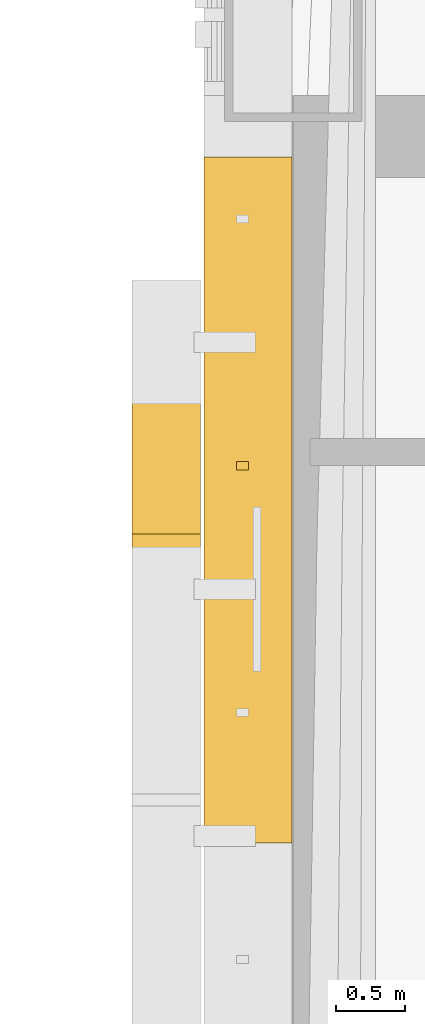
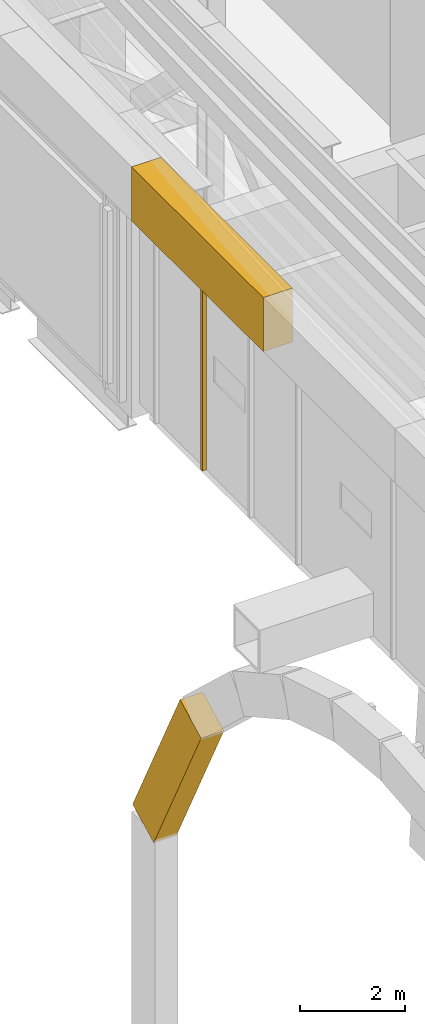
# One storey, part 34 of 39: 3 coverings.
"""IFC4 building model written with IfcOpenShell, lengths in metres."""

import ifcopenshell
import ifcopenshell.guid

model = None  # the IFC model being written
_history = None  # IfcOwnerHistory: only IFC2X3 demands one
_inside = {}  # id of a spatial element -> (the spatial element, [elements in it])
_under = {}  # id of a project, library or spatial element -> (it, [spatial elements below it])
_declared = {}  # id of a project -> (the project, [libraries it declares])
_typed = {}  # id of a type object -> (the type object, [elements of that type])
_made_of = {}  # id of a material, layer set ... -> (it, [elements and type objects made of it])


def new_model(schema):
    """Start an empty IFC model of exactly this schema.

    Asked for "IFC4X3", IfcOpenShell would pick the latest addendum, in which some entities
    have other attributes; the version numbers below select the first issue.
    IFC2X3 requires an IfcOwnerHistory on every rooted entity: one is made here for all.
    """
    global model, _history
    if schema == "IFC4X3":
        model = ifcopenshell.file(schema_version=(4, 3, 0, 0))
    else:
        model = ifcopenshell.file(schema=schema)
    _inside.clear()
    _under.clear()
    _declared.clear()
    _typed.clear()
    _made_of.clear()
    _history = None
    if model.schema == "IFC2X3":
        org = make("IfcOrganization", Name="unknown")
        user = make(
            "IfcPersonAndOrganization",
            ThePerson=make("IfcPerson", FamilyName="unknown"),
            TheOrganization=org,
        )
        app = make(
            "IfcApplication",
            ApplicationDeveloper=org,
            Version="unknown",
            ApplicationFullName="unknown",
            ApplicationIdentifier="unknown",
        )
        _history = make(
            "IfcOwnerHistory",
            OwningUser=user,
            OwningApplication=app,
            ChangeAction="ADDED",
            CreationDate=0,
        )
    return model


def make(cls, **values):
    """One entity of the class cls with the attributes given. An attribute that is None is left unset."""
    return model.create_entity(
        cls, **{name: value for name, value in values.items() if value is not None}
    )


def rooted(cls, **values):
    """An entity with a GlobalId (a new one), such as an element, a storey or a relation."""
    return make(cls, GlobalId=ifcopenshell.guid.new(), OwnerHistory=_history, **values)


def si_unit(unit_type, name, prefix=None):
    """IfcSIUnit, for example si_unit("LENGTHUNIT", "METRE", prefix="MILLI")."""
    return make("IfcSIUnit", UnitType=unit_type, Prefix=prefix, Name=name)


def assignment(units):
    """IfcUnitAssignment: the units of a project."""
    return None if units is None else make("IfcUnitAssignment", Units=units)


def point(xyz):
    """IfcCartesianPoint."""
    return None if xyz is None else make("IfcCartesianPoint", Coordinates=xyz)


def direction(xyz):
    """IfcDirection."""
    return None if xyz is None else make("IfcDirection", DirectionRatios=xyz)


def frame(location, z_axis=None, x_axis=None):
    """IfcAxis2Placement3D, a coordinate frame: its origin and axes. An axis left out is left unset."""
    return make(
        "IfcAxis2Placement3D",
        Location=point(location),
        Axis=direction(z_axis),
        RefDirection=direction(x_axis),
    )


def frame_2d(location, x_axis=None):
    """IfcAxis2Placement2D, a coordinate frame in the plane: its origin and x axis."""
    return make(
        "IfcAxis2Placement2D", Location=point(location), RefDirection=direction(x_axis)
    )


def origin():
    """The frame at (0, 0, 0) with its axes left unset."""
    return frame((0.0, 0.0, 0.0))


def origin_2d():
    """The frame at (0, 0) in the plane with its x axis left unset."""
    return frame_2d((0.0, 0.0))


def place(relative_to, where):
    """IfcLocalPlacement: puts the frame where relative to a parent placement (None: the world)."""
    return make(
        "IfcLocalPlacement", PlacementRelTo=relative_to, RelativePlacement=where
    )


def context(
    kind, dimensions, precision=None, world=None, true_north=None, identifier=None
):
    """IfcGeometricRepresentationContext, for example the 3D "Model" context."""
    return make(
        "IfcGeometricRepresentationContext",
        ContextIdentifier=identifier,
        ContextType=kind,
        CoordinateSpaceDimension=dimensions,
        Precision=precision,
        WorldCoordinateSystem=world,
        TrueNorth=true_north,
    )


def subcontext(parent, identifier, kind, view, scale=None):
    """IfcGeometricRepresentationSubContext, for example "Body" below "Model"."""
    return make(
        "IfcGeometricRepresentationSubContext",
        ContextIdentifier=identifier,
        ContextType=kind,
        ParentContext=parent,
        TargetScale=scale,
        TargetView=view,
    )


def project(units=None, contexts=None):
    """IfcProject with its units and contexts."""
    return rooted(
        "IfcProject",
        Name="project",
        RepresentationContexts=contexts,
        UnitsInContext=assignment(units),
    )


def spatial(cls, under=None, at=None, **own):
    """A site, building, storey or space (cls), placed at a placement, below another one or the project."""
    s = rooted(cls, ObjectPlacement=at, **own)
    if under is not None:
        _under.setdefault(under.id(), (under, []))[1].append(s)
    return s


def polyline(points):
    """IfcPolyline through the points."""
    return make("IfcPolyline", Points=[point(p) for p in points])


def profile(cls, at=None, kind="AREA", **sizes):
    """A parametric profile (cls). Its sizes go by their IFC names, for example OverallWidth=200.0."""
    return make(cls, ProfileType=kind, Position=at, **sizes)


def rectangle(**sizes):
    """IfcRectangleProfileDef."""
    return profile("IfcRectangleProfileDef", **sizes)


def outline(outer, holes=None, kind="AREA"):
    """IfcArbitraryClosedProfileDef: a profile drawn as a closed curve; with holes, ...WithVoids."""
    if holes is None:
        return make("IfcArbitraryClosedProfileDef", ProfileType=kind, OuterCurve=outer)
    return make(
        "IfcArbitraryProfileDefWithVoids",
        ProfileType=kind,
        OuterCurve=outer,
        InnerCurves=holes,
    )


def extrude(swept, where, along, depth):
    """IfcExtrudedAreaSolid: the profile swept, set in the frame where, extruded along a direction by depth."""
    return make(
        "IfcExtrudedAreaSolid",
        SweptArea=swept,
        Position=where,
        ExtrudedDirection=direction(along),
        Depth=depth,
    )


def shape(context_of_items, identifier, shape_type, items):
    """IfcShapeRepresentation: the items that make up one representation, for example the "Body"."""
    return make(
        "IfcShapeRepresentation",
        ContextOfItems=context_of_items,
        RepresentationIdentifier=identifier,
        RepresentationType=shape_type,
        Items=items,
    )


def material(Name=None, Category=None):
    """IfcMaterial."""
    return make("IfcMaterial", Name=Name, Category=Category)


def material_profile(
    of_material, cross_section, Name=None, Category=None, Priority=None
):
    """IfcMaterialProfile: a cross section and its material."""
    return make(
        "IfcMaterialProfile",
        Name=Name,
        Material=of_material,
        Profile=cross_section,
        Priority=Priority,
        Category=Category,
    )


def profile_set(profiles, Name=None, composite=None):
    """IfcMaterialProfileSet."""
    return make(
        "IfcMaterialProfileSet",
        Name=Name,
        MaterialProfiles=profiles,
        CompositeProfile=composite,
    )


def made_of(thing, what):
    """Note that an element or type object is made of a material, layer set ...; save() writes the relation."""
    if what is not None:
        _made_of.setdefault(what.id(), (what, []))[1].append(thing)
    return thing


def type_object(cls, material=None, **own):
    """A type object (cls), such as IfcWallType, which elements share."""
    return made_of(rooted(cls, **own), material)


def element(
    cls,
    number,
    at=None,
    inside=None,
    cuts=None,
    type_object=None,
    material=None,
    context=None,
    identifier="Body",
    shape_type=None,
    held_by="IfcProductDefinitionShape",
    body=None,
    shapes=None,
    **own,
):
    """One element of the class cls, such as IfcWall. Its Tag is "e" and its number.

    at: its placement. inside: the storey or other place that contains it. cuts: it is an
    opening in that element (IfcRelVoidsElement). A single representation is given by context,
    identifier, shape_type and body (its items); several are given by shapes. held_by: the class
    of the entity that holds the representations. save() writes the other relations.
    """
    e = rooted(cls, Tag="e%d" % number, ObjectPlacement=at, **own)
    if body is not None:
        shapes = [shape(context, identifier, shape_type, body)]
    if shapes is not None:
        e.Representation = make(held_by, Representations=shapes)
    if inside is not None:
        _inside.setdefault(inside.id(), (inside, []))[1].append(e)
    if cuts is not None:
        rooted(
            "IfcRelVoidsElement", RelatingBuildingElement=cuts, RelatedOpeningElement=e
        )
    if type_object is not None:
        _typed.setdefault(type_object.id(), (type_object, []))[1].append(e)
    return made_of(e, material)


def aggregate(whole, parts):
    """IfcRelAggregates: a whole, such as a stair, and the parts it consists of."""
    return rooted("IfcRelAggregates", RelatingObject=whole, RelatedObjects=parts)


def save(model, path):
    """Write the relations noted so far, then the file.

    IfcRelAggregates (storeys below a building ...), IfcRelContainedInSpatialStructure (elements
    in a storey), IfcRelDefinesByType, IfcRelAssociatesMaterial and IfcRelDeclares: one each for
    every whole, place, type object, material and project.
    """
    for whole, parts in _under.values():
        aggregate(whole, parts)
    for where, things in _inside.values():
        rooted(
            "IfcRelContainedInSpatialStructure",
            RelatedElements=things,
            RelatingStructure=where,
        )
    for kind, things in _typed.values():
        rooted("IfcRelDefinesByType", RelatedObjects=things, RelatingType=kind)
    for what, things in _made_of.values():
        rooted("IfcRelAssociatesMaterial", RelatedObjects=things, RelatingMaterial=what)
    for by, libraries in _declared.values():
        rooted("IfcRelDeclares", RelatingContext=by, RelatedDefinitions=libraries)
    model.write(path)


model = new_model("IFC4")

# Units and contexts
model_context = context("Model", 3, precision=1e-05, world=origin(), true_north=direction((0.0, 1.0)))
body_context = subcontext(model_context, "Body", "Model", "MODEL_VIEW")
ifc_project = project(units=[si_unit("LENGTHUNIT", "METRE"), si_unit("AREAUNIT", "SQUARE_METRE"), si_unit("VOLUMEUNIT", "CUBIC_METRE"), si_unit("PLANEANGLEUNIT", "RADIAN"), si_unit("MASSUNIT", "GRAM", prefix="KILO")], contexts=[model_context])

# Site, building, storey
site_placement = place(None, origin())
site = spatial("IfcSite", under=ifc_project, at=site_placement, CompositionType="ELEMENT")
building_placement = place(site_placement, origin())
building = spatial("IfcBuilding", under=site, at=building_placement, Name="Cobrizo Arcos Hotel Tower", CompositionType="ELEMENT")
storey_placement = place(building_placement, frame((0.0, 0.0, 84.5)))
storey = spatial("IfcBuildingStorey", under=building, at=storey_placement, Name="L20", CompositionType="ELEMENT", Elevation=84.5)

# Coverings
ifc_material = material(Name="Aluminium 6063-T6 anodised pale", Category="aluminium")
ifc_material_profile = material_profile(ifc_material, rectangle(XDim=0.5, YDim=0.89990234375, at=origin_2d()), Name="AF-2 core arch rim 500x900")
ifc_profile_set = profile_set([ifc_material_profile], Name="Aluminium 6063-T6 anodised pale")
covering_type_1 = type_object("IfcCoveringType", Name="AF-2 core arch rim 500x900", PredefinedType="CLADDING", material=ifc_profile_set)
covering_1_placement = place(storey_placement, frame((-24.925048828125, 7.199951171875, -4.9462890625), z_axis=(0.0, 0.455923660176, -0.890018885245), x_axis=(-1.0, 0.0, 0.0)))
element("IfcCovering", 1, at=covering_1_placement, inside=storey, type_object=covering_type_1, Name="Arch rim A W face", PredefinedType="CLADDING", context=body_context, shape_type="SweptSolid", body=[
    extrude(rectangle(XDim=0.5, YDim=0.89990234375, at=origin_2d()), origin(), (0.0, 0.0, 1.0), 3.9482421875),
])
covering_type_2 = type_object("IfcCoveringType", Name="LF-1 setback skirt", PredefinedType="CLADDING", material=ifc_material)
covering_2_placement = place(storey_placement, frame((0.0, 0.0, 4.5)))
element("IfcCovering", 2, at=covering_2_placement, inside=storey, type_object=covering_type_2, Name="Setback skirt L20", PredefinedType="CLADDING", context=body_context, shape_type="SweptSolid", body=[
    extrude(outline(polyline([(-24.64990234375, 10.35009765625), (-24.64990234375, 5.35009765625), (-24.010009765625, 5.35009765625), (-24.010009765625, 10.35009765625), (-24.64990234375, 10.35009765625)])), origin(), (0.0, 0.0, 1.0), 1.25),
])
covering_type_3 = type_object("IfcCoveringType", Name="RS-1 rainscreen rib 60x90", PredefinedType="CLADDING", material=ifc_material)
covering_3_placement = place(storey_placement, frame((-24.3701171875, 8.10009765625, 0.0), z_axis=(0.0, 0.0, 1.0), x_axis=(0.0, -1.0, 0.0)))
element("IfcCovering", 3, at=covering_3_placement, inside=storey, type_object=covering_type_3, Name="Rainscreen rib 32", PredefinedType="CLADDING", context=body_context, shape_type="SweptSolid", body=[
    extrude(rectangle(XDim=0.06005859375, YDim=0.090087890625, at=origin_2d()), origin(), (0.0, 0.0, 1.0), 4.5),
])

save(model, "model.ifc")
